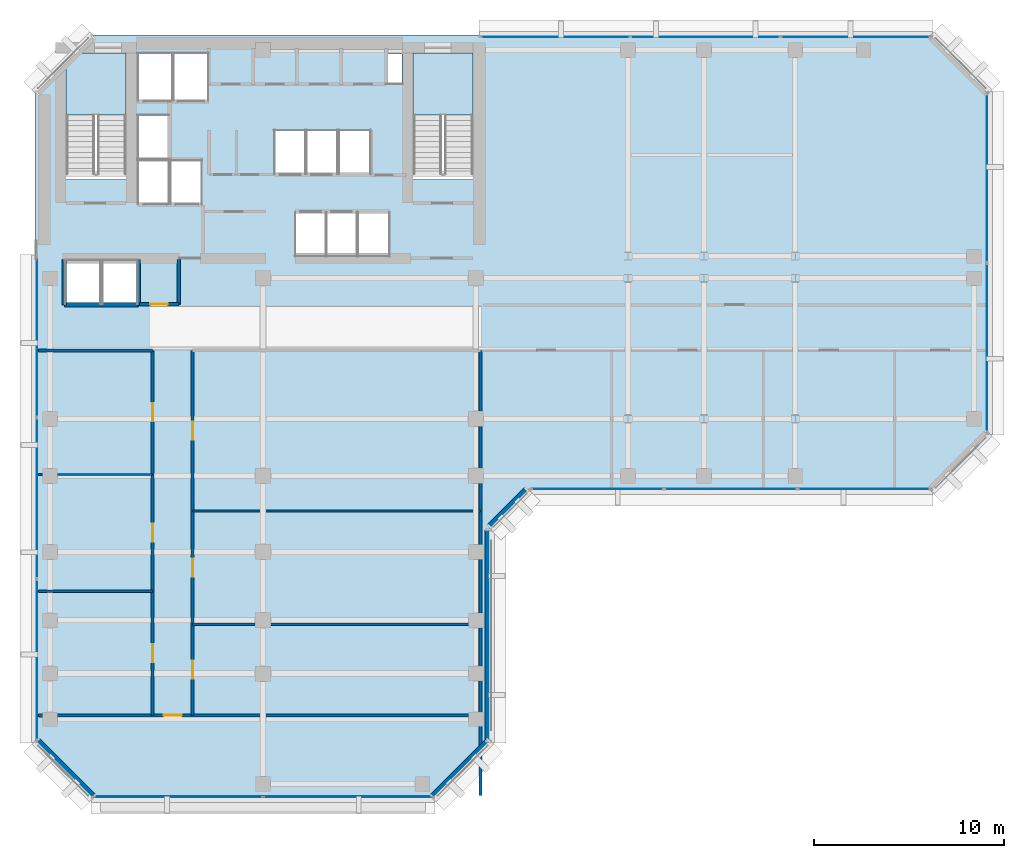
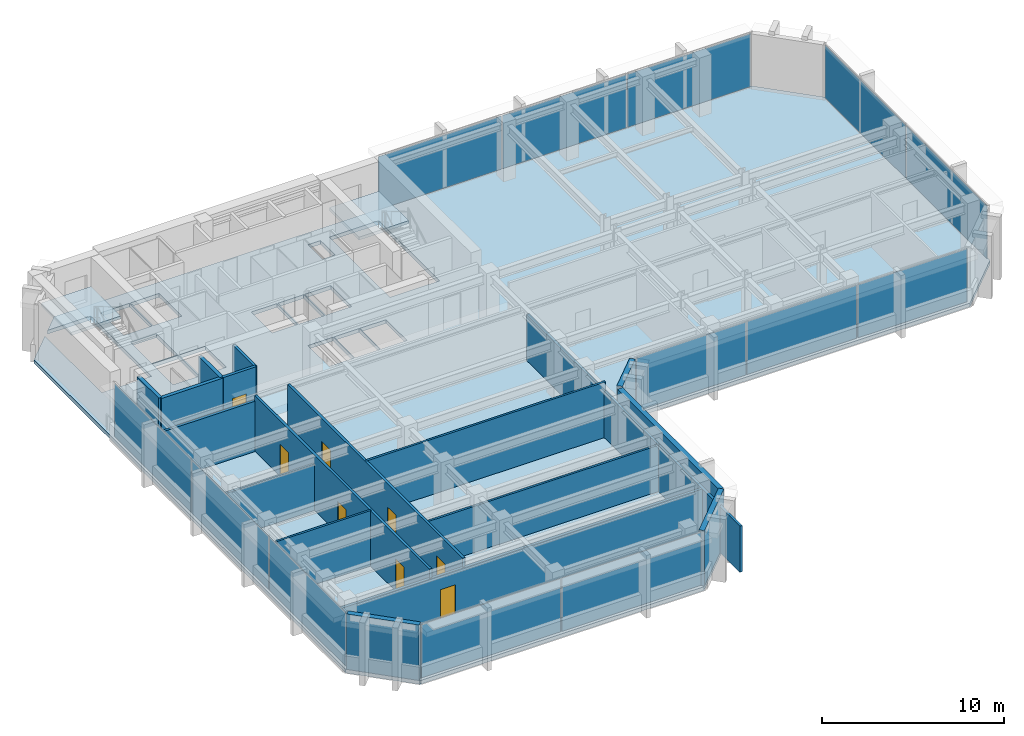
# One storey, part 6 of 12: 18 walls, 13 plates, 8 doors, 3 slabs, 8 openings, 7 elements without a shape of their own.
"""IFC4 building model written with IfcOpenShell, lengths in metres."""

from ifc_helpers import new_model, si_unit, direction, frame, frame_2d, origin, origin_2d, place, context, subcontext, project, spatial, polyline, rectangle, outline, extrude, material, layer, layer_set, type_object, element, fill, aggregate, save


model = new_model("IFC4")

# Units and contexts
model_context = context("Model", 3, precision=1e-05, world=origin(), true_north=direction((0.0, 1.0)))
body_context = subcontext(model_context, "Body", "Model", "MODEL_VIEW")
ifc_project = project(units=[si_unit("LENGTHUNIT", "METRE"), si_unit("AREAUNIT", "SQUARE_METRE"), si_unit("VOLUMEUNIT", "CUBIC_METRE"), si_unit("PLANEANGLEUNIT", "RADIAN"), si_unit("MASSUNIT", "GRAM", prefix="KILO")], contexts=[model_context])

# Site, building, storey
site_placement = place(None, origin())
site = spatial("IfcSite", under=ifc_project, at=site_placement, CompositionType="ELEMENT")
building_placement = place(site_placement, origin())
building = spatial("IfcBuilding", under=site, at=building_placement, Name="Kefirva Bronze Tower", CompositionType="ELEMENT")
storey_placement = place(building_placement, frame((0.0, 0.0, 195.360107421875)))
storey = spatial("IfcBuildingStorey", under=building, at=storey_placement, Name="L47", CompositionType="ELEMENT", Elevation=195.360107421875)

# Stair, slab
ifc_material_1 = material(Name="Concrete C40/50", Category="concrete")
stair_type = type_object("IfcStairType", Name="RC Dogleg Protected Stair 24R", PredefinedType="HALF_TURN_STAIR", material=ifc_material_1)
stair_1_placement = place(storey_placement, origin())
stair_1 = element("IfcStair", 1, at=stair_1_placement, inside=storey, type_object=stair_type, Name="L47 Protected Exit Stair 1", PredefinedType="HALF_TURN_STAIR")
ifc_layer_1 = layer(ifc_material_1, 0.199951171875, Name="Concrete C40/50")
ifc_layer_set_1 = layer_set([ifc_layer_1], Name="Concrete C40/50")
slab_type_1 = type_object("IfcSlabType", Name="RC Stair Landing Slab 200mm", PredefinedType="LANDING", material=ifc_layer_set_1)
slab_1_placement = place(storey_placement, frame((0.0, 0.0, 1.77978515625)))
slab_1 = element("IfcSlab", 2, at=slab_1_placement, type_object=slab_type_1, Name="ST-1 landing 1", PredefinedType="LANDING", context=body_context, shape_type="SweptSolid", body=[
    extrude(outline(polyline([(4.800048828125, 41.780029296875), (4.800048828125, 45.050048828125), (1.64990234375, 45.050048828125), (1.64990234375, 41.780029296875), (4.800048828125, 41.780029296875)])), origin(), (0.0, 0.0, 1.0), 0.2001953125),
])
aggregate(stair_1, [slab_1])

stair_2_placement = place(storey_placement, origin())
stair_2 = element("IfcStair", 3, at=stair_2_placement, inside=storey, type_object=stair_type, Name="L47 Protected Exit Stair 2", PredefinedType="HALF_TURN_STAIR")
slab_2_placement = place(storey_placement, frame((0.0, 0.0, 1.77978515625)))
slab_2 = element("IfcSlab", 4, at=slab_2_placement, type_object=slab_type_1, Name="ST-2 landing 1", PredefinedType="LANDING", context=body_context, shape_type="SweptSolid", body=[
    extrude(outline(polyline([(23.050048828125, 41.780029296875), (23.050048828125, 45.050048828125), (19.89990234375, 45.050048828125), (19.89990234375, 41.780029296875), (23.050048828125, 41.780029296875)])), origin(), (0.0, 0.0, 1.0), 0.2001953125),
])
aggregate(stair_2, [slab_2])

# Slab
ifc_layer_2 = layer(ifc_material_1, 0.25, Name="Concrete C40/50")
ifc_layer_set_2 = layer_set([ifc_layer_2], Name="Concrete C40/50")
slab_type_2 = type_object("IfcSlabType", Name="RC Tower Floor Slab 250mm", PredefinedType="FLOOR", material=ifc_layer_set_2)
slab_3_placement = place(storey_placement, frame((0.0, 0.0, -0.25)))
element("IfcSlab", 5, at=slab_3_placement, inside=storey, type_object=slab_type_2, Name="L47 Structural Floor Slab", PredefinedType="FLOOR", context=body_context, shape_type="SweptSolid", body=[
    extrude(outline(polyline([(0.0, 8.800048828125), (0.0, 43.0), (1.64990234375, 44.64990234375), (1.64990234375, 38.39990234375), (4.800048828125, 38.39990234375), (4.800048828125, 45.050048828125), (2.050048828125, 45.050048828125), (3.0, 46.0), (47.199951171875, 46.0), (50.199951171875, 43.0), (50.199951171875, 25.0), (47.199951171875, 22.0), (26.0, 22.0), (24.0, 20.0), (24.0, 8.800048828125), (21.0, 5.800048828125), (3.0, 5.800048828125), (0.0, 8.800048828125)]), holes=[polyline([(23.050048828125, 38.39990234375), (23.050048828125, 45.050048828125), (19.89990234375, 45.050048828125), (19.89990234375, 38.39990234375), (23.050048828125, 38.39990234375)]), polyline([(19.320068359375, 43.419921875), (19.320068359375, 45.0), (18.52001953125, 45.0), (18.52001953125, 43.419921875), (19.320068359375, 43.419921875)]), polyline([(18.64990234375, 34.35009765625), (18.64990234375, 36.64990234375), (17.0, 36.64990234375), (17.0, 34.35009765625), (18.64990234375, 34.35009765625)]), polyline([(17.64990234375, 38.679931640625), (17.64990234375, 40.97998046875), (16.0, 40.97998046875), (16.0, 38.679931640625), (17.64990234375, 38.679931640625)]), polyline([(16.949951171875, 34.35009765625), (16.949951171875, 36.64990234375), (15.35009765625, 36.64990234375), (15.35009765625, 34.35009765625), (16.949951171875, 34.35009765625)]), polyline([(15.929931640625, 38.679931640625), (15.929931640625, 40.97998046875), (14.300048828125, 40.97998046875), (14.300048828125, 38.679931640625), (15.929931640625, 38.679931640625)]), polyline([(15.300048828125, 34.35009765625), (15.300048828125, 36.64990234375), (13.699951171875, 36.64990234375), (13.699951171875, 34.35009765625), (15.300048828125, 34.35009765625)]), polyline([(14.22998046875, 38.679931640625), (14.22998046875, 40.97998046875), (12.60009765625, 40.97998046875), (12.60009765625, 38.679931640625), (14.22998046875, 38.679931640625)]), polyline([(9.1201171875, 42.550048828125), (9.1201171875, 45.050048828125), (7.300048828125, 45.050048828125), (7.300048828125, 42.550048828125), (9.1201171875, 42.550048828125)]), polyline([(8.780029296875, 37.10009765625), (8.780029296875, 39.39990234375), (7.139892578125, 39.39990234375), (7.139892578125, 37.10009765625), (8.780029296875, 37.10009765625)]), polyline([(7.239990234375, 42.550048828125), (7.239990234375, 45.050048828125), (5.419921875, 45.050048828125), (5.419921875, 42.550048828125), (7.239990234375, 42.550048828125)]), polyline([(7.06005859375, 37.10009765625), (7.06005859375, 39.39990234375), (5.419921875, 39.39990234375), (5.419921875, 37.10009765625), (7.06005859375, 37.10009765625)]), polyline([(7.06005859375, 39.47998046875), (7.06005859375, 41.780029296875), (5.419921875, 41.780029296875), (5.419921875, 39.47998046875), (7.06005859375, 39.47998046875)]), polyline([(5.39990234375, 31.85009765625), (5.39990234375, 34.14990234375), (3.550048828125, 34.14990234375), (3.550048828125, 31.85009765625), (5.39990234375, 31.85009765625)]), polyline([(3.449951171875, 31.85009765625), (3.449951171875, 34.14990234375), (1.60009765625, 34.14990234375), (1.60009765625, 31.85009765625), (3.449951171875, 31.85009765625)])]), origin(), (0.0, 0.0, 1.0), 0.25),
])

# Curtain wall, plates
ifc_material_2 = material(Name="Bronze anodised aluminium", Category="aluminium")
ifc_layer_3 = layer(ifc_material_2, 0.179931640625, Name="Bronze anodised aluminium")
ifc_layer_set_3 = layer_set([ifc_layer_3], Name="Bronze anodised aluminium")
curtain_wall_type = type_object("IfcCurtainWallType", Name="Unitised Bronze Ribbon Curtain Wall Zone 3", PredefinedType="USERDEFINED", material=ifc_layer_set_3)
curtain_wall_1_placement = place(storey_placement, origin())
curtain_wall_1 = element("IfcCurtainWall", 6, at=curtain_wall_1_placement, inside=storey, type_object=curtain_wall_type, Name="L47 Curtain Wall 1", ObjectType="UNITISED CURTAIN WALL", PredefinedType="USERDEFINED")
ifc_material_3 = material(Name="Laminated low-E double glazing", Category="glass")
ifc_layer_4 = layer(ifc_material_3, 0.031982421875, Name="Laminated low-E double glazing")
ifc_layer_set_4 = layer_set([ifc_layer_4], Name="Laminated low-E double glazing")
plate_type = type_object("IfcPlateType", Name="Solar-Control Low-E Vision Panel 32mm", PredefinedType="CURTAIN_PANEL", material=ifc_layer_set_4)
plate_1_placement = place(storey_placement, frame((7.546142578125, 5.919921875, 0.074951171875), z_axis=(0.0, 0.0, 1.0), x_axis=(1.0, 0.0, 0.0)))
plate_1 = element("IfcPlate", 7, at=plate_1_placement, type_object=plate_type, Name="CW-03 panel 1.1", PredefinedType="CURTAIN_PANEL", context=body_context, shape_type="SweptSolid", body=[
    extrude(rectangle(XDim=8.83251953125, YDim=0.031982421875, at=origin_2d()), origin(), (0.0, 0.0, 1.0), 3.56005859375),
])
plate_2_placement = place(storey_placement, frame((16.453857421875, 5.919921875, 0.074951171875), z_axis=(0.0, 0.0, 1.0), x_axis=(1.0, 0.0, 0.0)))
plate_2 = element("IfcPlate", 8, at=plate_2_placement, type_object=plate_type, Name="CW-03 panel 2.1", PredefinedType="CURTAIN_PANEL", context=body_context, shape_type="SweptSolid", body=[
    extrude(rectangle(XDim=8.83251953125, YDim=0.031982421875, at=origin_2d()), origin(), (0.0, 0.0, 1.0), 3.56005859375),
])
aggregate(curtain_wall_1, [plate_1, plate_2])

curtain_wall_2_placement = place(storey_placement, origin())
curtain_wall_2 = element("IfcCurtainWall", 9, at=curtain_wall_2_placement, inside=storey, type_object=curtain_wall_type, Name="L47 Curtain Wall 2", ObjectType="UNITISED CURTAIN WALL", PredefinedType="USERDEFINED")
plate_3_placement = place(storey_placement, frame((29.5888671875, 22.1201171875, 0.074951171875), z_axis=(0.0, 0.0, 1.0), x_axis=(1.0, 0.0, 0.0)))
plate_3 = element("IfcPlate", 10, at=plate_3_placement, type_object=plate_type, Name="CW-03 panel 1.1", PredefinedType="CURTAIN_PANEL", context=body_context, shape_type="SweptSolid", body=[
    extrude(rectangle(XDim=6.91748046875, YDim=0.031982421875, at=origin_2d()), origin(), (0.0, 0.0, 1.0), 3.56005859375),
])
plate_4_placement = place(storey_placement, frame((36.60009765625, 22.1201171875, 0.074951171875), z_axis=(0.0, 0.0, 1.0), x_axis=(1.0, 0.0, 0.0)))
plate_4 = element("IfcPlate", 11, at=plate_4_placement, type_object=plate_type, Name="CW-03 panel 2.1", PredefinedType="CURTAIN_PANEL", context=body_context, shape_type="SweptSolid", body=[
    extrude(rectangle(XDim=6.955078125, YDim=0.031982421875, at=origin_2d()), origin(), (0.0, 0.0, 1.0), 3.56005859375),
])
plate_5_placement = place(storey_placement, frame((43.611328125, 22.1201171875, 0.074951171875), z_axis=(0.0, 0.0, 1.0), x_axis=(1.0, 0.0, 0.0)))
plate_5 = element("IfcPlate", 12, at=plate_5_placement, type_object=plate_type, Name="CW-03 panel 3.1", PredefinedType="CURTAIN_PANEL", context=body_context, shape_type="SweptSolid", body=[
    extrude(rectangle(XDim=6.91748046875, YDim=0.031982421875, at=origin_2d()), origin(), (0.0, 0.0, 1.0), 3.56005859375),
])
aggregate(curtain_wall_2, [plate_3, plate_4, plate_5])

curtain_wall_3_placement = place(storey_placement, origin())
curtain_wall_3 = element("IfcCurtainWall", 13, at=curtain_wall_3_placement, inside=storey, type_object=curtain_wall_type, Name="L47 Curtain Wall 3", ObjectType="UNITISED CURTAIN WALL", PredefinedType="USERDEFINED")
plate_6_placement = place(storey_placement, frame((50.080078125, 29.546142578125, 0.074951171875), z_axis=(0.0, 0.0, 1.0), x_axis=(0.0, 1.0, 0.0)))
plate_6 = element("IfcPlate", 14, at=plate_6_placement, type_object=plate_type, Name="CW-03 panel 1.1", PredefinedType="CURTAIN_PANEL", context=body_context, shape_type="SweptSolid", body=[
    extrude(rectangle(XDim=8.83251953125, YDim=0.031982421875, at=origin_2d()), origin(), (0.0, 0.0, 1.0), 3.56005859375),
])
plate_7_placement = place(storey_placement, frame((50.080078125, 38.453857421875, 0.074951171875), z_axis=(0.0, 0.0, 1.0), x_axis=(0.0, 1.0, 0.0)))
plate_7 = element("IfcPlate", 15, at=plate_7_placement, type_object=plate_type, Name="CW-03 panel 2.1", PredefinedType="CURTAIN_PANEL", context=body_context, shape_type="SweptSolid", body=[
    extrude(rectangle(XDim=8.83251953125, YDim=0.031982421875, at=origin_2d()), origin(), (0.0, 0.0, 1.0), 3.56005859375),
])
aggregate(curtain_wall_3, [plate_6, plate_7])

curtain_wall_4_placement = place(storey_placement, origin())
curtain_wall_4 = element("IfcCurtainWall", 16, at=curtain_wall_4_placement, inside=storey, type_object=curtain_wall_type, Name="L47 Curtain Wall 4", ObjectType="UNITISED CURTAIN WALL", PredefinedType="USERDEFINED")
plate_8_placement = place(storey_placement, frame((43.169677734375, 45.8798828125, 0.074951171875), z_axis=(0.0, 0.0, 1.0), x_axis=(-1.0, 0.0, 0.0)))
plate_8 = element("IfcPlate", 17, at=plate_8_placement, type_object=plate_type, Name="CW-03 panel 1.1", PredefinedType="CURTAIN_PANEL", context=body_context, shape_type="SweptSolid", body=[
    extrude(rectangle(XDim=7.80078125, YDim=0.031982421875, at=origin_2d()), origin(), (0.0, 0.0, 1.0), 3.56005859375),
])
plate_9_placement = place(storey_placement, frame((35.27490234375, 45.8798828125, 0.074951171875), z_axis=(0.0, 0.0, 1.0), x_axis=(-1.0, 0.0, 0.0)))
plate_9 = element("IfcPlate", 18, at=plate_9_placement, type_object=plate_type, Name="CW-03 panel 2.1", PredefinedType="CURTAIN_PANEL", context=body_context, shape_type="SweptSolid", body=[
    extrude(rectangle(XDim=7.83837890625, YDim=0.031982421875, at=origin_2d()), origin(), (0.0, 0.0, 1.0), 3.56005859375),
])
plate_10_placement = place(storey_placement, frame((27.38037109375, 45.8798828125, 0.074951171875), z_axis=(0.0, 0.0, 1.0), x_axis=(-1.0, 0.0, 0.0)))
plate_10 = element("IfcPlate", 19, at=plate_10_placement, type_object=plate_type, Name="CW-03 panel 3.1", PredefinedType="CURTAIN_PANEL", context=body_context, shape_type="SweptSolid", body=[
    extrude(rectangle(XDim=7.80078125, YDim=0.031982421875, at=origin_2d()), origin(), (0.0, 0.0, 1.0), 3.56005859375),
])
aggregate(curtain_wall_4, [plate_8, plate_9, plate_10])

curtain_wall_5_placement = place(storey_placement, origin())
curtain_wall_5 = element("IfcCurtainWall", 20, at=curtain_wall_5_placement, inside=storey, type_object=curtain_wall_type, Name="L47 Curtain Wall 5", ObjectType="UNITISED CURTAIN WALL", PredefinedType="USERDEFINED")
plate_11_placement = place(storey_placement, frame((0.1201171875, 30.11962890625, 0.074951171875), z_axis=(0.0, 0.0, 1.0), x_axis=(0.0, -1.0, 0.0)))
plate_11 = element("IfcPlate", 21, at=plate_11_placement, type_object=plate_type, Name="CW-03 panel 1.1", PredefinedType="CURTAIN_PANEL", context=body_context, shape_type="SweptSolid", body=[
    extrude(rectangle(XDim=8.40087890625, YDim=0.031982421875, at=origin_2d()), origin(), (0.0, 0.0, 1.0), 3.56005859375),
])
plate_12_placement = place(storey_placement, frame((0.1201171875, 21.625, 0.074951171875), z_axis=(0.0, 0.0, 1.0), x_axis=(0.0, -1.0, 0.0)))
plate_12 = element("IfcPlate", 22, at=plate_12_placement, type_object=plate_type, Name="CW-03 panel 2.1", PredefinedType="CURTAIN_PANEL", context=body_context, shape_type="SweptSolid", body=[
    extrude(rectangle(XDim=8.438232421875, YDim=0.031982421875, at=origin_2d()), origin(), (0.0, 0.0, 1.0), 3.56005859375),
])
plate_13_placement = place(storey_placement, frame((0.1201171875, 13.13037109375, 0.074951171875), z_axis=(0.0, 0.0, 1.0), x_axis=(0.0, -1.0, 0.0)))
plate_13 = element("IfcPlate", 23, at=plate_13_placement, type_object=plate_type, Name="CW-03 panel 3.1", PredefinedType="CURTAIN_PANEL", context=body_context, shape_type="SweptSolid", body=[
    extrude(rectangle(XDim=8.40087890625, YDim=0.031982421875, at=origin_2d()), origin(), (0.0, 0.0, 1.0), 3.56005859375),
])
aggregate(curtain_wall_5, [plate_11, plate_12, plate_13])

# Walls
ifc_material_4 = material(Name="Gypsum acoustic partition")
ifc_layer_5 = layer(ifc_material_4, 0.1298828125, Name="Gypsum acoustic partition")
ifc_layer_set_5 = layer_set([ifc_layer_5], Name="Gypsum acoustic partition")
wall_type_1 = type_object("IfcWallType", Name="Acoustic Office Partition 130mm", PredefinedType="PARTITIONING", material=ifc_layer_set_5)
wall_1_placement = place(storey_placement, frame((0.18994140625, 16.72802734375, 0.0), z_axis=(0.0, 0.0, 1.0), x_axis=(1.0, 0.0, 0.0)))
element("IfcWall", 24, at=wall_1_placement, inside=storey, type_object=wall_type_1, Name="L47 Partition W-L47-SWD1", PredefinedType="PARTITIONING", context=body_context, shape_type="SweptSolid", body=[
    extrude(rectangle(XDim=6.010009765625, YDim=0.1298828125, at=frame_2d((3.0048828125, 0.0))), origin(), (0.0, 0.0, 1.0), 3.7099609375),
])
wall_2_placement = place(storey_placement, frame((0.18994140625, 22.8720703125, 0.0), z_axis=(0.0, 0.0, 1.0), x_axis=(1.0, 0.0, 0.0)))
element("IfcWall", 25, at=wall_2_placement, inside=storey, type_object=wall_type_1, Name="L47 Partition W-L47-SWD2", PredefinedType="PARTITIONING", context=body_context, shape_type="SweptSolid", body=[
    extrude(rectangle(XDim=6.010009765625, YDim=0.1298828125, at=frame_2d((3.0048828125, 0.0))), origin(), (0.0, 0.0, 1.0), 3.094970703125),
])
wall_3_placement = place(storey_placement, frame((8.300048828125, 15.0, 0.0), z_axis=(0.0, 0.0, 1.0), x_axis=(1.0, 0.0, 0.0)))
element("IfcWall", 26, at=wall_3_placement, inside=storey, type_object=wall_type_1, Name="L47 Partition W-L47-SED1", PredefinedType="PARTITIONING", context=body_context, shape_type="SweptSolid", body=[
    extrude(rectangle(XDim=15.14990234375, YDim=0.1298828125, at=frame_2d((7.574951171875, 0.0))), origin(), (0.0, 0.0, 1.0), 3.094970703125),
])
wall_4_placement = place(storey_placement, frame((8.300048828125, 20.951904296875, 0.0), z_axis=(0.0, 0.0, 1.0), x_axis=(1.0, 0.0, 0.0)))
element("IfcWall", 27, at=wall_4_placement, inside=storey, type_object=wall_type_1, Name="L47 Partition W-L47-SED2", PredefinedType="PARTITIONING", context=body_context, shape_type="SweptSolid", body=[
    extrude(rectangle(XDim=15.14990234375, YDim=0.1298828125, at=frame_2d((7.574951171875, 0.0))), origin(), (0.0, 0.0, 1.0), 3.7099609375),
])
ifc_material_5 = material(Name="Gypsum fireboard shaftwall")
ifc_layer_6 = layer(ifc_material_5, 0.219970703125, Name="Gypsum fireboard shaftwall")
ifc_layer_set_6 = layer_set([ifc_layer_6], Name="Gypsum fireboard shaftwall")
wall_type_2 = type_object("IfcWallType", Name="Fire-Rated Shaft Enclosure Wall 220mm", PredefinedType="PARTITIONING", material=ifc_layer_set_6)
wall_5_placement = place(storey_placement, frame((1.550048828125, 31.800048828125, 0.0), z_axis=(0.0, 0.0, 1.0), x_axis=(1.0, 0.0, 0.0)))
element("IfcWall", 28, at=wall_5_placement, inside=storey, type_object=wall_type_2, Name="L47 Partition W-L47-OBS", PredefinedType="PARTITIONING", context=body_context, shape_type="SweptSolid", body=[
    extrude(rectangle(XDim=3.89990234375, YDim=0.219970703125, at=frame_2d((1.949951171875, 0.0))), origin(), (0.0, 0.0, 1.0), 3.7099609375),
])
for number, where, z_axis, x_axis, name in (
    (29, (1.550048828125, 31.800048828125, 0.0), (0.0, 0.0, 1.0), (0.0, 1.0, 0.0), "L47 Partition W-L47-OBW"),
    (30, (5.449951171875, 31.800048828125, 0.0), (0.0, 0.0, 1.0), (0.0, 1.0, 0.0), "L47 Partition W-L47-OBE"),
):
    element("IfcWall", number, at=place(storey_placement, frame(where, z_axis=z_axis, x_axis=x_axis)), inside=storey, type_object=wall_type_2, Name=name, PredefinedType="PARTITIONING", context=body_context, shape_type="SweptSolid", body=[
        extrude(rectangle(XDim=2.3798828125, YDim=0.219970703125, at=frame_2d((1.18994140625, 0.0))), origin(), (0.0, 0.0, 1.0), 3.7099609375),
    ])
ifc_material_6 = material(Name="Precast concrete C40/50", Category="concrete")
ifc_layer_7 = layer(ifc_material_6, 0.320068359375, Name="Precast concrete C40/50")
ifc_layer_set_7 = layer_set([ifc_layer_7], Name="Precast concrete C40/50")
wall_type_3 = type_object("IfcWallType", Name="Precast Insulated Exterior Wall 320mm", PredefinedType="SOLIDWALL", material=ifc_layer_set_7)
wall_6_placement = place(storey_placement, frame((20.92578125, 5.951904296875, 0.0), z_axis=(0.0, 0.0, 1.0), x_axis=(0.707077242712, 0.707136318428, 0.0)))
element("IfcWall", 31, at=wall_6_placement, inside=storey, type_object=wall_type_3, Name="L47 Exterior Facade Wall 1", PredefinedType="SOLIDWALL", context=body_context, shape_type="SweptSolid", body=[
    extrude(rectangle(XDim=4.132568359375, YDim=0.320068359375, at=frame_2d((2.06640625, 0.0))), origin(), (0.0, 0.0, 1.0), 3.7099609375),
])
wall_7_placement = place(storey_placement, frame((23.840087890625, 8.85498046875, 0.0), z_axis=(0.0, 0.0, 1.0), x_axis=(0.0, 1.0, 0.0)))
element("IfcWall", 32, at=wall_7_placement, inside=storey, type_object=wall_type_3, Name="L47 Exterior Facade Wall 2", PredefinedType="SOLIDWALL", context=body_context, shape_type="SweptSolid", body=[
    extrude(rectangle(XDim=11.090087890625, YDim=0.320068359375, at=frame_2d((5.544921875, 0.0))), origin(), (0.0, 0.0, 1.0), 3.7099609375),
])
wall_8_placement = place(storey_placement, frame((23.92578125, 20.152099609375, 0.0), z_axis=(0.0, 0.0, 1.0), x_axis=(0.707106781187, 0.707106781187, 0.0)))
element("IfcWall", 33, at=wall_8_placement, inside=storey, type_object=wall_type_3, Name="L47 Exterior Facade Wall 3", PredefinedType="SOLIDWALL", context=body_context, shape_type="SweptSolid", body=[
    extrude(rectangle(XDim=2.71826171875, YDim=0.320068359375, at=frame_2d((1.359130859375, 0.0))), origin(), (0.0, 0.0, 1.0), 3.7099609375),
])
wall_9_placement = place(storey_placement, frame((0.152099609375, 8.874267578125, 0.0), z_axis=(0.0, 0.0, 1.0), x_axis=(0.707077242712, -0.707136318428, 0.0)))
element("IfcWall", 34, at=wall_9_placement, inside=storey, type_object=wall_type_3, Name="L47 Exterior Facade Wall 7", PredefinedType="SOLIDWALL", context=body_context, shape_type="SweptSolid", body=[
    extrude(rectangle(XDim=4.132568359375, YDim=0.320068359375, at=frame_2d((2.06640625, 0.0))), origin(), (0.0, 0.0, 1.0), 3.7099609375),
])

# Wall, openings, doors
ifc_layer_8 = layer(ifc_material_4, 0.159912109375, Name="Gypsum acoustic partition")
ifc_layer_set_8 = layer_set([ifc_layer_8], Name="Gypsum acoustic partition")
wall_type_4 = type_object("IfcWallType", Name="Protected Corridor Partition 160mm", PredefinedType="PARTITIONING", material=ifc_layer_set_8)
wall_10_placement = place(storey_placement, frame((6.199951171875, 10.199951171875, 0.0), z_axis=(0.0, 0.0, 1.0), x_axis=(0.0, 1.0, 0.0)))
wall_10 = element("IfcWall", 35, at=wall_10_placement, inside=storey, type_object=wall_type_4, Name="L47 Partition W-L47-SWCORW", PredefinedType="PARTITIONING", context=body_context, shape_type="SweptSolid", body=[
    extrude(rectangle(XDim=19.199951171875, YDim=0.159912109375, at=frame_2d((9.60009765625, 0.0))), origin(), (0.0, 0.0, 1.0), 3.7099609375),
])
opening_1_placement = place(wall_10_placement, frame((3.739013671875, 0.0, 0.0), z_axis=(0.0, 0.0, 1.0), x_axis=(-1.0, 0.0, 0.0)))
opening_1 = element("IfcOpeningElement", 36, at=opening_1_placement, cuts=wall_10, Name="Opening L47-D-SW1", PredefinedType="OPENING", context=body_context, shape_type="SweptSolid", body=[
    extrude(rectangle(XDim=0.949951171875, YDim=2.14990234375, at=frame_2d((0.47509765625, 1.074951171875))), frame((0.0, 0.08984375, 0.0), z_axis=(0.0, -1.0, 0.0), x_axis=(1.0, 0.0, 0.0)), (0.0, 0.0, 1.0), 0.179931640625),
])
opening_2_placement = place(wall_10_placement, frame((10.074951171875, 0.0, 0.0), z_axis=(0.0, 0.0, 1.0), x_axis=(-1.0, 0.0, 0.0)))
opening_2 = element("IfcOpeningElement", 37, at=opening_2_placement, cuts=wall_10, Name="Opening L47-D-SW2", PredefinedType="OPENING", context=body_context, shape_type="SweptSolid", body=[
    extrude(rectangle(XDim=0.949951171875, YDim=2.14990234375, at=frame_2d((0.47509765625, 1.074951171875))), frame((0.0, 0.08984375, 0.0), z_axis=(0.0, -1.0, 0.0), x_axis=(1.0, 0.0, 0.0)), (0.0, 0.0, 1.0), 0.179931640625),
])
opening_3_placement = place(wall_10_placement, frame((16.410888671875, 0.0, 0.0), z_axis=(0.0, 0.0, 1.0), x_axis=(-1.0, 0.0, 0.0)))
opening_3 = element("IfcOpeningElement", 38, at=opening_3_placement, cuts=wall_10, Name="Opening L47-D-SW3", PredefinedType="OPENING", context=body_context, shape_type="SweptSolid", body=[
    extrude(rectangle(XDim=0.949951171875, YDim=2.14990234375, at=frame_2d((0.47509765625, 1.074951171875))), frame((0.0, 0.08984375, 0.0), z_axis=(0.0, -1.0, 0.0), x_axis=(1.0, 0.0, 0.0)), (0.0, 0.0, 1.0), 0.179931640625),
])
ifc_material_7 = material(Name="Acoustic hardwood oak", Category="wood")
door_type_1 = type_object("IfcDoorType", Name="Office & Meeting Room Door 950x2150", OperationType="NOTDEFINED", PredefinedType="DOOR", material=ifc_material_7)
door_1_placement = place(opening_1_placement, origin())
door_1 = element("IfcDoor", 39, at=door_1_placement, inside=storey, type_object=door_type_1, Name="Door L47-D-SW1", OperationType="SINGLE_SWING_LEFT", OverallHeight=2.14990234375, OverallWidth=0.949951171875, PredefinedType="DOOR", context=body_context, shape_type="SweptSolid", body=[
    extrude(rectangle(XDim=0.949951171875, YDim=2.14990234375, at=frame_2d((0.47509765625, 1.074951171875))), frame((0.0, 0.02490234375, 0.0), z_axis=(0.0, -1.0, 0.0), x_axis=(1.0, 0.0, 0.0)), (0.0, 0.0, 1.0), 0.050048828125),
])
fill(opening_1, door_1)
door_2_placement = place(opening_2_placement, origin())
door_2 = element("IfcDoor", 40, at=door_2_placement, inside=storey, type_object=door_type_1, Name="Door L47-D-SW2", OperationType="SINGLE_SWING_RIGHT", OverallHeight=2.14990234375, OverallWidth=0.949951171875, PredefinedType="DOOR", context=body_context, shape_type="SweptSolid", body=[
    extrude(rectangle(XDim=0.949951171875, YDim=2.14990234375, at=frame_2d((0.47509765625, 1.074951171875))), frame((0.0, 0.02490234375, 0.0), z_axis=(0.0, -1.0, 0.0), x_axis=(1.0, 0.0, 0.0)), (0.0, 0.0, 1.0), 0.050048828125),
])
fill(opening_2, door_2)
door_3_placement = place(opening_3_placement, origin())
door_3 = element("IfcDoor", 41, at=door_3_placement, inside=storey, type_object=door_type_1, Name="Door L47-D-SW3", OperationType="SINGLE_SWING_LEFT", OverallHeight=2.14990234375, OverallWidth=0.949951171875, PredefinedType="DOOR", context=body_context, shape_type="SweptSolid", body=[
    extrude(rectangle(XDim=0.949951171875, YDim=2.14990234375, at=frame_2d((0.47509765625, 1.074951171875))), frame((0.0, 0.02490234375, 0.0), z_axis=(0.0, -1.0, 0.0), x_axis=(1.0, 0.0, 0.0)), (0.0, 0.0, 1.0), 0.050048828125),
])
fill(opening_3, door_3)

wall_11_placement = place(storey_placement, frame((8.300048828125, 10.199951171875, 0.0), z_axis=(0.0, 0.0, 1.0), x_axis=(0.0, 1.0, 0.0)))
wall_11 = element("IfcWall", 42, at=wall_11_placement, inside=storey, type_object=wall_type_4, Name="L47 Partition W-L47-SECORE", PredefinedType="PARTITIONING", context=body_context, shape_type="SweptSolid", body=[
    extrude(rectangle(XDim=19.199951171875, YDim=0.159912109375, at=frame_2d((9.60009765625, 0.0))), origin(), (0.0, 0.0, 1.0), 3.7099609375),
])
opening_4_placement = place(wall_11_placement, frame((1.925048828125, 0.0, 0.0)))
opening_4 = element("IfcOpeningElement", 43, at=opening_4_placement, cuts=wall_11, Name="Opening L47-D-SE1", PredefinedType="OPENING", context=body_context, shape_type="SweptSolid", body=[
    extrude(rectangle(XDim=0.949951171875, YDim=2.14990234375, at=frame_2d((0.47509765625, 1.074951171875))), frame((0.0, 0.08984375, 0.0), z_axis=(0.0, -1.0, 0.0), x_axis=(1.0, 0.0, 0.0)), (0.0, 0.0, 1.0), 0.179931640625),
])
opening_5_placement = place(wall_11_placement, frame((7.301025390625, 0.0, 0.0)))
opening_5 = element("IfcOpeningElement", 44, at=opening_5_placement, cuts=wall_11, Name="Opening L47-D-SE2", PredefinedType="OPENING", context=body_context, shape_type="SweptSolid", body=[
    extrude(rectangle(XDim=0.949951171875, YDim=2.14990234375, at=frame_2d((0.47509765625, 1.074951171875))), frame((0.0, 0.08984375, 0.0), z_axis=(0.0, -1.0, 0.0), x_axis=(1.0, 0.0, 0.0)), (0.0, 0.0, 1.0), 0.179931640625),
])
opening_6_placement = place(wall_11_placement, frame((14.5009765625, 0.0, 0.0)))
opening_6 = element("IfcOpeningElement", 45, at=opening_6_placement, cuts=wall_11, Name="Opening L47-D-SE3", PredefinedType="OPENING", context=body_context, shape_type="SweptSolid", body=[
    extrude(rectangle(XDim=0.949951171875, YDim=2.14990234375, at=frame_2d((0.47509765625, 1.074951171875))), frame((0.0, 0.08984375, 0.0), z_axis=(0.0, -1.0, 0.0), x_axis=(1.0, 0.0, 0.0)), (0.0, 0.0, 1.0), 0.179931640625),
])
door_4_placement = place(opening_4_placement, origin())
door_4 = element("IfcDoor", 46, at=door_4_placement, inside=storey, type_object=door_type_1, Name="Door L47-D-SE1", OperationType="SINGLE_SWING_RIGHT", OverallHeight=2.14990234375, OverallWidth=0.949951171875, PredefinedType="DOOR", context=body_context, shape_type="SweptSolid", body=[
    extrude(rectangle(XDim=0.949951171875, YDim=2.14990234375, at=frame_2d((0.47509765625, 1.074951171875))), frame((0.0, 0.02490234375, 0.0), z_axis=(0.0, -1.0, 0.0), x_axis=(1.0, 0.0, 0.0)), (0.0, 0.0, 1.0), 0.050048828125),
])
fill(opening_4, door_4)
door_5_placement = place(opening_5_placement, origin())
door_5 = element("IfcDoor", 47, at=door_5_placement, inside=storey, type_object=door_type_1, Name="Door L47-D-SE2", OperationType="SINGLE_SWING_LEFT", OverallHeight=2.14990234375, OverallWidth=0.949951171875, PredefinedType="DOOR", context=body_context, shape_type="SweptSolid", body=[
    extrude(rectangle(XDim=0.949951171875, YDim=2.14990234375, at=frame_2d((0.47509765625, 1.074951171875))), frame((0.0, 0.02490234375, 0.0), z_axis=(0.0, -1.0, 0.0), x_axis=(1.0, 0.0, 0.0)), (0.0, 0.0, 1.0), 0.050048828125),
])
fill(opening_5, door_5)
door_6_placement = place(opening_6_placement, origin())
door_6 = element("IfcDoor", 48, at=door_6_placement, inside=storey, type_object=door_type_1, Name="Door L47-D-SE3", OperationType="SINGLE_SWING_RIGHT", OverallHeight=2.14990234375, OverallWidth=0.949951171875, PredefinedType="DOOR", context=body_context, shape_type="SweptSolid", body=[
    extrude(rectangle(XDim=0.949951171875, YDim=2.14990234375, at=frame_2d((0.47509765625, 1.074951171875))), frame((0.0, 0.02490234375, 0.0), z_axis=(0.0, -1.0, 0.0), x_axis=(1.0, 0.0, 0.0)), (0.0, 0.0, 1.0), 0.050048828125),
])
fill(opening_6, door_6)

# Wall, opening, door
wall_12_placement = place(storey_placement, frame((0.18994140625, 10.199951171875, 0.0), z_axis=(0.0, 0.0, 1.0), x_axis=(1.0, 0.0, 0.0)))
wall_12 = element("IfcWall", 49, at=wall_12_placement, inside=storey, type_object=wall_type_4, Name="L47 Partition W-L47-SBEND", PredefinedType="PARTITIONING", context=body_context, shape_type="SweptSolid", body=[
    extrude(rectangle(XDim=23.260009765625, YDim=0.159912109375, at=frame_2d((11.6298828125, 0.0))), origin(), (0.0, 0.0, 1.0), 3.094970703125),
])
opening_7_placement = place(wall_12_placement, frame((6.590087890625, 0.0, 0.0)))
opening_7 = element("IfcOpeningElement", 50, at=opening_7_placement, cuts=wall_12, Name="Opening L47-D-SEND1", PredefinedType="OPENING", context=body_context, shape_type="SweptSolid", body=[
    extrude(rectangle(XDim=0.949951171875, YDim=2.14990234375, at=frame_2d((0.47509765625, 1.074951171875))), frame((0.0, 0.08984375, 0.0), z_axis=(0.0, -1.0, 0.0), x_axis=(1.0, 0.0, 0.0)), (0.0, 0.0, 1.0), 0.179931640625),
])
door_7_placement = place(opening_7_placement, origin())
door_7 = element("IfcDoor", 51, at=door_7_placement, inside=storey, type_object=door_type_1, Name="Door L47-D-SEND1", OperationType="SINGLE_SWING_RIGHT", OverallHeight=2.14990234375, OverallWidth=0.949951171875, PredefinedType="DOOR", context=body_context, shape_type="SweptSolid", body=[
    extrude(rectangle(XDim=0.949951171875, YDim=2.14990234375, at=frame_2d((0.47509765625, 1.074951171875))), frame((0.0, 0.02490234375, 0.0), z_axis=(0.0, -1.0, 0.0), x_axis=(1.0, 0.0, 0.0)), (0.0, 0.0, 1.0), 0.050048828125),
])
fill(opening_7, door_7)

# Walls
wall_13_placement = place(storey_placement, frame((0.18994140625, 29.39990234375, 0.0), z_axis=(0.0, 0.0, 1.0), x_axis=(1.0, 0.0, 0.0)))
element("IfcWall", 52, at=wall_13_placement, inside=storey, type_object=wall_type_4, Name="L47 Partition W-L47-NWT", PredefinedType="PARTITIONING", context=body_context, shape_type="SweptSolid", body=[
    extrude(rectangle(XDim=6.010009765625, YDim=0.159912109375, at=frame_2d((3.0048828125, 0.0))), origin(), (0.0, 0.0, 1.0), 3.364990234375),
])
wall_14_placement = place(storey_placement, frame((23.449951171875, 5.989990234375, 0.0), z_axis=(0.0, 0.0, 1.0), x_axis=(0.0, 1.0, 0.0)))
element("IfcWall", 53, at=wall_14_placement, inside=storey, type_object=wall_type_4, Name="L47 Partition W-L47-SWEAST", PredefinedType="PARTITIONING", context=body_context, shape_type="SweptSolid", body=[
    extrude(rectangle(XDim=23.409912109375, YDim=0.159912109375, at=frame_2d((11.705078125, 0.0))), origin(), (0.0, 0.0, 1.0), 3.094970703125),
])

# Wall, opening, door
ifc_material_8 = material(Name="Moisture-resistant partition")
ifc_layer_9 = layer(ifc_material_8, 0.179931640625, Name="Moisture-resistant partition")
ifc_layer_set_9 = layer_set([ifc_layer_9], Name="Moisture-resistant partition")
wall_type_5 = type_object("IfcWallType", Name="Sanitary Plumbing Chase Wall 180mm", PredefinedType="PLUMBINGWALL", material=ifc_layer_set_9)
wall_15_placement = place(storey_placement, frame((5.5, 31.820068359375, 0.0), z_axis=(0.0, 0.0, 1.0), x_axis=(1.0, 0.0, 0.0)))
wall_15 = element("IfcWall", 54, at=wall_15_placement, inside=storey, type_object=wall_type_5, Name="L47 Partition W-L47-TCS", PredefinedType="PLUMBINGWALL", context=body_context, shape_type="SweptSolid", body=[
    extrude(rectangle(XDim=2.080078125, YDim=0.179931640625, at=frame_2d((1.0400390625, 0.0))), origin(), (0.0, 0.0, 1.0), 3.7099609375),
])
opening_8_placement = place(wall_15_placement, frame((1.47998046875, 0.0, 0.0), z_axis=(0.0, 0.0, 1.0), x_axis=(-1.0, 0.0, 0.0)))
opening_8 = element("IfcOpeningElement", 55, at=opening_8_placement, cuts=wall_15, Name="Opening L47-D-TCL1", PredefinedType="OPENING", context=body_context, shape_type="SweptSolid", body=[
    extrude(rectangle(XDim=0.89990234375, YDim=2.10009765625, at=frame_2d((0.449951171875, 1.050048828125))), frame((0.0, 0.10009765625, 0.0), z_axis=(0.0, -1.0, 0.0), x_axis=(1.0, 0.0, 0.0)), (0.0, 0.0, 1.0), 0.199951171875),
])
ifc_material_9 = material(Name="Painted galvanized steel", Category="steel")
door_type_2 = type_object("IfcDoorType", Name="Telecom & Meter Fire Door 900x2100 FD60S", OperationType="NOTDEFINED", PredefinedType="DOOR", material=ifc_material_9)
door_8_placement = place(opening_8_placement, origin())
door_8 = element("IfcDoor", 56, at=door_8_placement, inside=storey, type_object=door_type_2, Name="Door L47-D-TCL1", OperationType="SINGLE_SWING_RIGHT", OverallHeight=2.10009765625, OverallWidth=0.89990234375, PredefinedType="DOOR", context=body_context, shape_type="SweptSolid", body=[
    extrude(rectangle(XDim=0.89990234375, YDim=2.10009765625, at=frame_2d((0.449951171875, 1.050048828125))), frame((0.0, 0.02490234375, 0.0), z_axis=(0.0, -1.0, 0.0), x_axis=(1.0, 0.0, 0.0)), (0.0, 0.0, 1.0), 0.050048828125),
])
fill(opening_8, door_8)

# Wall
wall_16_placement = place(storey_placement, frame((7.580078125, 31.820068359375, 0.0), z_axis=(0.0, 0.0, 1.0), x_axis=(0.0, 1.0, 0.0)))
element("IfcWall", 57, at=wall_16_placement, inside=storey, type_object=wall_type_5, Name="L47 Partition W-L47-TCE", PredefinedType="PLUMBINGWALL", context=body_context, shape_type="SweptSolid", body=[
    extrude(rectangle(XDim=2.35986328125, YDim=0.179931640625, at=frame_2d((1.179931640625, 0.0))), origin(), (0.0, 0.0, 1.0), 3.7099609375),
])

save(model, "model.ifc")
